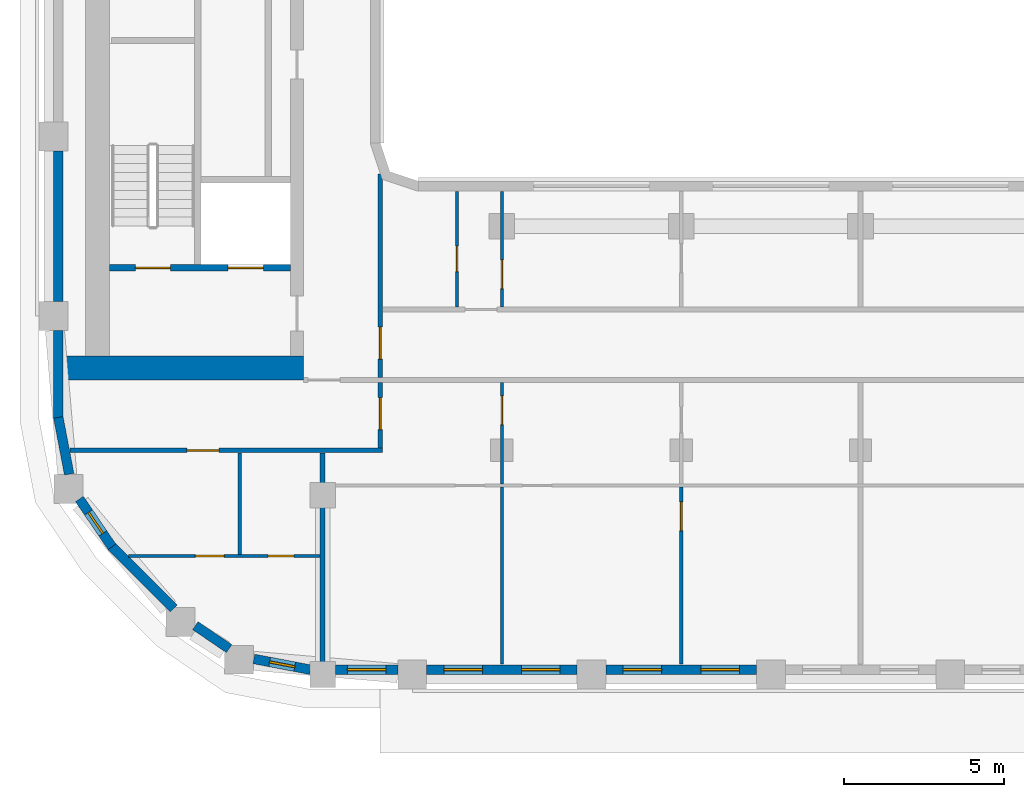
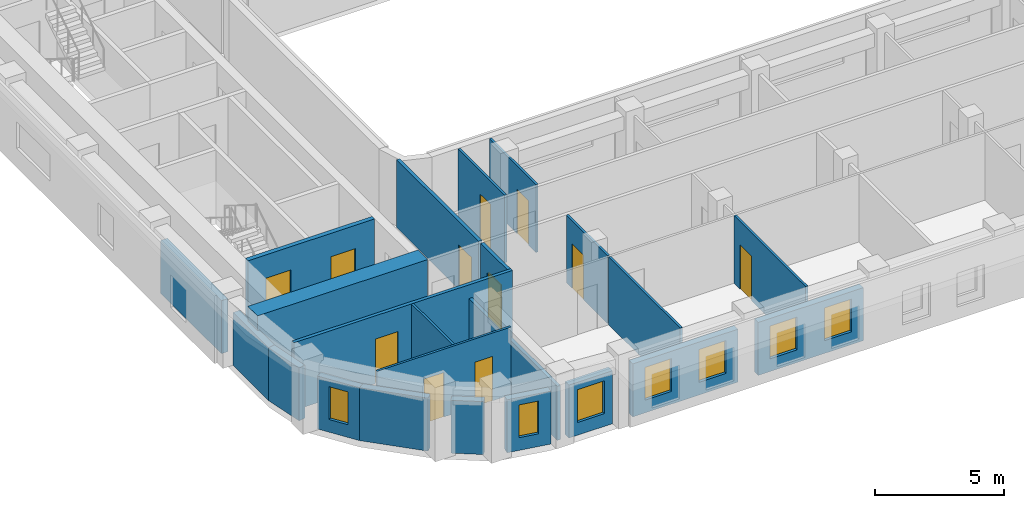
# One storey, part 2 of 20: 23 walls, 11 doors, 7 windows, 18 openings.
"""IFC4 building model written with IfcOpenShell, lengths in metres."""

from ifc_helpers import new_model, si_unit, direction, frame, frame_2d, origin, place, context, subcontext, project, spatial, rectangle, extrude, material, layer, layer_set, type_object, element, fill, save


model = new_model("IFC4")

# Units and contexts
model_context = context("Model", 3, precision=1e-05, world=origin(), true_north=direction((0.0, 1.0)))
body_context = subcontext(model_context, "Body", "Model", "MODEL_VIEW")
ifc_project = project(units=[si_unit("LENGTHUNIT", "METRE"), si_unit("AREAUNIT", "SQUARE_METRE"), si_unit("VOLUMEUNIT", "CUBIC_METRE"), si_unit("PLANEANGLEUNIT", "RADIAN"), si_unit("MASSUNIT", "GRAM", prefix="KILO")], contexts=[model_context])

# Site, building, storey
site_placement = place(None, origin())
site = spatial("IfcSite", under=ifc_project, at=site_placement, CompositionType="ELEMENT")
building_placement = place(site_placement, origin())
building = spatial("IfcBuilding", under=site, at=building_placement, Name="Kiln Ring Residences", CompositionType="ELEMENT")
storey_placement = place(building_placement, frame((0.0, 0.0, 206.39990234375)))
storey = spatial("IfcBuildingStorey", under=building, at=storey_placement, Name="L53", CompositionType="ELEMENT", Elevation=206.39990234375)

# Wall, openings, doors
ifc_material_1 = material(Name="Concrete C40/50", Category="concrete")
ifc_layer_1 = layer(ifc_material_1, 0.199951171875)
ifc_layer_set_1 = layer_set([ifc_layer_1], Name="CORE-WALL-RC200")
wall_type_1 = type_object("IfcWallType", Name="CORE-WALL-RC200", PredefinedType="SHEAR", material=ifc_layer_set_1)
wall_1_placement = place(storey_placement, frame((-17.800048828125, -9.699951171875, 0.0), z_axis=(0.0, 0.0, 1.0), x_axis=(-1.0, 0.0, 0.0)))
wall_1 = element("IfcWall", 1, at=wall_1_placement, inside=storey, type_object=wall_type_1, Name="Core wall west L53 8", PredefinedType="SHEAR", context=body_context, shape_type="SweptSolid", body=[
    extrude(rectangle(XDim=5.64990234375, YDim=0.199951171875, at=frame_2d((2.824951171875, 0.0))), origin(), (0.0, 0.0, 1.0), 3.2001953125),
])
opening_1_placement = place(wall_1_placement, frame((0.85009765625, 0.0, 0.0)))
opening_1 = element("IfcOpeningElement", 2, at=opening_1_placement, cuts=wall_1, Name="Opening L53-CW01", PredefinedType="OPENING", context=body_context, shape_type="SweptSolid", body=[
    extrude(rectangle(XDim=1.10009765625, YDim=2.10009765625, at=frame_2d((0.550048828125, 1.050048828125))), frame((0.0, 0.10986328125, 0.0), z_axis=(0.0, -1.0, 0.0), x_axis=(1.0, 0.0, 0.0)), (0.0, 0.0, 1.0), 0.219970703125),
])
opening_2_placement = place(wall_1_placement, frame((3.75, 0.0, 0.0)))
opening_2 = element("IfcOpeningElement", 3, at=opening_2_placement, cuts=wall_1, Name="Opening L53-CW10", PredefinedType="OPENING", context=body_context, shape_type="SweptSolid", body=[
    extrude(rectangle(XDim=1.10009765625, YDim=2.10009765625, at=frame_2d((0.550048828125, 1.050048828125))), frame((0.0, 0.10986328125, 0.0), z_axis=(0.0, -1.0, 0.0), x_axis=(1.0, 0.0, 0.0)), (0.0, 0.0, 1.0), 0.219970703125),
])
ifc_material_2 = material(Name="Steel door leaf", Category="steel")
door_type_1 = type_object("IfcDoorType", Name="CORE-DOOR-LD", OperationType="DOUBLE_DOOR_SLIDING", PredefinedType="DOOR", material=ifc_material_2)
door_1_placement = place(opening_1_placement, origin())
door_1 = element("IfcDoor", 4, at=door_1_placement, inside=storey, type_object=door_type_1, Name="LD W-SV L53-CW01", OperationType="DOUBLE_DOOR_SLIDING", OverallHeight=2.10009765625, OverallWidth=1.10009765625, PredefinedType="DOOR", context=body_context, shape_type="SweptSolid", body=[
    extrude(rectangle(XDim=1.10009765625, YDim=2.10009765625, at=frame_2d((0.550048828125, 1.050048828125))), frame((0.0, 0.02490234375, 0.0), z_axis=(0.0, -1.0, 0.0), x_axis=(1.0, 0.0, 0.0)), (0.0, 0.0, 1.0), 0.050048828125),
])
fill(opening_1, door_1)
ifc_material_3 = material(Name="Steel door leaf", Category="steel")
door_type_2 = type_object("IfcDoorType", Name="CORE-DOOR-STAIR", OperationType="SINGLE_SWING_LEFT", PredefinedType="DOOR", material=ifc_material_3)
door_2_placement = place(opening_2_placement, origin())
door_2 = element("IfcDoor", 5, at=door_2_placement, inside=storey, type_object=door_type_2, Name="Stair W-STS L53-CW10", OperationType="SINGLE_SWING_LEFT", OverallHeight=2.10009765625, OverallWidth=1.10009765625, PredefinedType="DOOR", context=body_context, shape_type="SweptSolid", body=[
    extrude(rectangle(XDim=1.10009765625, YDim=2.10009765625, at=frame_2d((0.550048828125, 1.050048828125))), frame((0.0, 0.02490234375, 0.0), z_axis=(0.0, -1.0, 0.0), x_axis=(1.0, 0.0, 0.0)), (0.0, 0.0, 1.0), 0.050048828125),
])
fill(opening_2, door_2)

# Walls
ifc_material_4 = material(Name="Concrete C60/75", Category="concrete")
ifc_layer_2 = layer(ifc_material_4, 0.75)
ifc_layer_set_2 = layer_set([ifc_layer_2], Name="CORE-WALL-RC750")
wall_type_2 = type_object("IfcWallType", Name="CORE-WALL-RC750", PredefinedType="SHEAR", material=ifc_layer_set_2)
wall_2_placement = place(storey_placement, frame((-17.39990234375, -12.824951171875, 0.0), z_axis=(0.0, 0.0, 1.0), x_axis=(-1.0, 0.0, 0.0)))
element("IfcWall", 6, at=wall_2_placement, inside=storey, type_object=wall_type_2, Name="Core wall west L53 5", PredefinedType="SHEAR", context=body_context, shape_type="SweptSolid", body=[
    extrude(rectangle(XDim=7.60009765625, YDim=0.75, at=frame_2d((3.800048828125, 0.0))), origin(), (0.0, 0.0, 1.0), 3.2001953125),
])
ifc_material_5 = material(Name="Brick masonry, dark clay brick", Category="masonry")
ifc_layer_3 = layer(ifc_material_5, 0.300048828125)
ifc_layer_set_3 = layer_set([ifc_layer_3], Name="EW-300 BRICK WALL")
wall_type_3 = type_object("IfcWallType", Name="EW-300 BRICK WALL", PredefinedType="SOLIDWALL", material=ifc_layer_set_3)
wall_3_placement = place(storey_placement, frame((-23.39697265625, -18.390869140625, 0.0), z_axis=(0.0, 0.0, 1.0), x_axis=(0.707106781187, -0.707106781187, 0.0)))
element("IfcWall", 7, at=wall_3_placement, inside=storey, type_object=wall_type_3, Name="Facade wall L53 1", PredefinedType="SOLIDWALL", context=body_context, shape_type="SweptSolid", body=[
    extrude(rectangle(XDim=2.75, YDim=0.300048828125, at=frame_2d((1.375, 0.0))), origin(), (0.0, 0.0, 1.0), 2.5),
])
wall_4_placement = place(storey_placement, frame((-20.775146484375, -20.876220703125, 0.0), z_axis=(0.0, 0.0, 1.0), x_axis=(0.827075824828, -0.562090366388, 0.0)))
element("IfcWall", 8, at=wall_4_placement, inside=storey, type_object=wall_type_3, Name="Facade wall L53 2", PredefinedType="SOLIDWALL", context=body_context, shape_type="SweptSolid", body=[
    extrude(rectangle(XDim=1.27685546875, YDim=0.300048828125, at=frame_2d((0.638427734375, 0.0))), origin(), (0.0, 0.0, 1.0), 2.5),
])

# Wall, opening, window
wall_5_placement = place(storey_placement, frame((-18.946044921875, -21.914306640625, 0.0), z_axis=(0.0, 0.0, 1.0), x_axis=(0.98230529033, -0.187286722942, 0.0)))
wall_5 = element("IfcWall", 9, at=wall_5_placement, inside=storey, type_object=wall_type_3, Name="Facade wall L53 3", PredefinedType="SOLIDWALL", context=body_context, shape_type="SweptSolid", body=[
    extrude(rectangle(XDim=1.798828125, YDim=0.300048828125, at=frame_2d((0.8994140625, 0.0))), origin(), (0.0, 0.0, 1.0), 2.5),
])
opening_3_placement = place(wall_5_placement, frame((0.49951171875, 0.0, 0.60009765625)))
opening_3 = element("IfcOpeningElement", 10, at=opening_3_placement, cuts=wall_5, Name="Opening W5", PredefinedType="OPENING", context=body_context, shape_type="SweptSolid", body=[
    extrude(rectangle(XDim=0.800048828125, YDim=1.550048828125, at=frame_2d((0.39990234375, 0.77490234375))), frame((0.0, 0.159912109375, 0.0), z_axis=(0.0, -1.0, 0.0), x_axis=(1.0, 0.0, 0.0)), (0.0, 0.0, 1.0), 0.320068359375),
])
ifc_material_6 = material(Name="Aluminium frame with double glazing", Category="aluminium")
window_type_1 = type_object("IfcWindowType", Name="WINDOW 800 x 1550", PartitioningType="SINGLE_PANEL", PredefinedType="WINDOW", material=ifc_material_6)
window_1_placement = place(opening_3_placement, origin())
window_1 = element("IfcWindow", 11, at=window_1_placement, inside=storey, type_object=window_type_1, Name="Window L53 1", OverallHeight=1.550048828125, OverallWidth=0.800048828125, PartitioningType="SINGLE_PANEL", PredefinedType="WINDOW", context=body_context, shape_type="SweptSolid", body=[
    extrude(rectangle(XDim=0.800048828125, YDim=1.550048828125, at=frame_2d((0.39990234375, 0.77490234375))), frame((0.0, 0.030029296875, 0.0), z_axis=(0.0, -1.0, 0.0), x_axis=(1.0, 0.0, 0.0)), (0.0, 0.0, 1.0), 0.06005859375),
])
fill(opening_3, window_1)

wall_6_placement = place(storey_placement, frame((-16.39990234375, -22.25, 0.0), z_axis=(0.0, 0.0, 1.0), x_axis=(1.0, 0.0, 0.0)))
wall_6 = element("IfcWall", 12, at=wall_6_placement, inside=storey, type_object=wall_type_3, Name="Facade wall L53 4", PredefinedType="SOLIDWALL", context=body_context, shape_type="SweptSolid", body=[
    extrude(rectangle(XDim=1.949951171875, YDim=0.300048828125, at=frame_2d((0.97509765625, 0.0))), origin(), (0.0, 0.0, 1.0), 2.5),
])
opening_4_placement = place(wall_6_placement, frame((0.375, 0.0, 0.60009765625)))
opening_4 = element("IfcOpeningElement", 13, at=opening_4_placement, cuts=wall_6, Name="Opening W1", PredefinedType="OPENING", context=body_context, shape_type="SweptSolid", body=[
    extrude(rectangle(XDim=1.199951171875, YDim=1.550048828125, at=frame_2d((0.60009765625, 0.77490234375))), frame((0.0, 0.159912109375, 0.0), z_axis=(0.0, -1.0, 0.0), x_axis=(1.0, 0.0, 0.0)), (0.0, 0.0, 1.0), 0.320068359375),
])
ifc_material_7 = material(Name="Aluminium frame with double glazing", Category="aluminium")
window_type_2 = type_object("IfcWindowType", Name="WINDOW 1200 x 1550", PartitioningType="SINGLE_PANEL", PredefinedType="WINDOW", material=ifc_material_7)
window_2_placement = place(opening_4_placement, origin())
window_2 = element("IfcWindow", 14, at=window_2_placement, inside=storey, type_object=window_type_2, Name="Window L53 2", OverallHeight=1.550048828125, OverallWidth=1.199951171875, PartitioningType="SINGLE_PANEL", PredefinedType="WINDOW", context=body_context, shape_type="SweptSolid", body=[
    extrude(rectangle(XDim=1.199951171875, YDim=1.550048828125, at=frame_2d((0.60009765625, 0.77490234375))), frame((0.0, 0.030029296875, 0.0), z_axis=(0.0, -1.0, 0.0), x_axis=(1.0, 0.0, 0.0)), (0.0, 0.0, 1.0), 0.06005859375),
])
fill(opening_4, window_2)

# Wall, openings, windows
wall_7_placement = place(storey_placement, frame((-13.550048828125, -22.25, 0.0), z_axis=(0.0, 0.0, 1.0), x_axis=(1.0, 0.0, 0.0)))
wall_7 = element("IfcWall", 15, at=wall_7_placement, inside=storey, type_object=wall_type_3, Name="Facade wall L53 5", PredefinedType="SOLIDWALL", context=body_context, shape_type="SweptSolid", body=[
    extrude(rectangle(XDim=4.699951171875, YDim=0.300048828125, at=frame_2d((2.35009765625, 0.0))), origin(), (0.0, 0.0, 1.0), 2.5),
])
opening_5_placement = place(wall_7_placement, frame((0.53759765625, 0.0, 0.60009765625)))
opening_5 = element("IfcOpeningElement", 16, at=opening_5_placement, cuts=wall_7, Name="Opening W1", PredefinedType="OPENING", context=body_context, shape_type="SweptSolid", body=[
    extrude(rectangle(XDim=1.199951171875, YDim=1.550048828125, at=frame_2d((0.60009765625, 0.77490234375))), frame((0.0, 0.159912109375, 0.0), z_axis=(0.0, -1.0, 0.0), x_axis=(1.0, 0.0, 0.0)), (0.0, 0.0, 1.0), 0.320068359375),
])
opening_6_placement = place(wall_7_placement, frame((2.96240234375, 0.0, 0.60009765625)))
opening_6 = element("IfcOpeningElement", 17, at=opening_6_placement, cuts=wall_7, Name="Opening W1", PredefinedType="OPENING", context=body_context, shape_type="SweptSolid", body=[
    extrude(rectangle(XDim=1.199951171875, YDim=1.550048828125, at=frame_2d((0.60009765625, 0.77490234375))), frame((0.0, 0.159912109375, 0.0), z_axis=(0.0, -1.0, 0.0), x_axis=(1.0, 0.0, 0.0)), (0.0, 0.0, 1.0), 0.320068359375),
])
window_3_placement = place(opening_5_placement, origin())
window_3 = element("IfcWindow", 18, at=window_3_placement, inside=storey, type_object=window_type_2, Name="Window L53 3", OverallHeight=1.550048828125, OverallWidth=1.199951171875, PartitioningType="SINGLE_PANEL", PredefinedType="WINDOW", context=body_context, shape_type="SweptSolid", body=[
    extrude(rectangle(XDim=1.199951171875, YDim=1.550048828125, at=frame_2d((0.60009765625, 0.77490234375))), frame((0.0, 0.030029296875, 0.0), z_axis=(0.0, -1.0, 0.0), x_axis=(1.0, 0.0, 0.0)), (0.0, 0.0, 1.0), 0.06005859375),
])
fill(opening_5, window_3)
window_4_placement = place(opening_6_placement, origin())
window_4 = element("IfcWindow", 19, at=window_4_placement, inside=storey, type_object=window_type_2, Name="Window L53 4", OverallHeight=1.550048828125, OverallWidth=1.199951171875, PartitioningType="SINGLE_PANEL", PredefinedType="WINDOW", context=body_context, shape_type="SweptSolid", body=[
    extrude(rectangle(XDim=1.199951171875, YDim=1.550048828125, at=frame_2d((0.60009765625, 0.77490234375))), frame((0.0, 0.030029296875, 0.0), z_axis=(0.0, -1.0, 0.0), x_axis=(1.0, 0.0, 0.0)), (0.0, 0.0, 1.0), 0.06005859375),
])
fill(opening_6, window_4)

wall_8_placement = place(storey_placement, frame((-7.949951171875, -22.25, 0.0), z_axis=(0.0, 0.0, 1.0), x_axis=(1.0, 0.0, 0.0)))
wall_8 = element("IfcWall", 20, at=wall_8_placement, inside=storey, type_object=wall_type_3, Name="Facade wall L53 6", PredefinedType="SOLIDWALL", context=body_context, shape_type="SweptSolid", body=[
    extrude(rectangle(XDim=4.699951171875, YDim=0.300048828125, at=frame_2d((2.35009765625, 0.0))), origin(), (0.0, 0.0, 1.0), 2.5),
])
opening_7_placement = place(wall_8_placement, frame((0.53759765625, 0.0, 0.60009765625)))
opening_7 = element("IfcOpeningElement", 21, at=opening_7_placement, cuts=wall_8, Name="Opening W1", PredefinedType="OPENING", context=body_context, shape_type="SweptSolid", body=[
    extrude(rectangle(XDim=1.199951171875, YDim=1.550048828125, at=frame_2d((0.60009765625, 0.77490234375))), frame((0.0, 0.159912109375, 0.0), z_axis=(0.0, -1.0, 0.0), x_axis=(1.0, 0.0, 0.0)), (0.0, 0.0, 1.0), 0.320068359375),
])
opening_8_placement = place(wall_8_placement, frame((2.96240234375, 0.0, 0.60009765625)))
opening_8 = element("IfcOpeningElement", 22, at=opening_8_placement, cuts=wall_8, Name="Opening W1", PredefinedType="OPENING", context=body_context, shape_type="SweptSolid", body=[
    extrude(rectangle(XDim=1.199951171875, YDim=1.550048828125, at=frame_2d((0.60009765625, 0.77490234375))), frame((0.0, 0.159912109375, 0.0), z_axis=(0.0, -1.0, 0.0), x_axis=(1.0, 0.0, 0.0)), (0.0, 0.0, 1.0), 0.320068359375),
])
window_5_placement = place(opening_7_placement, origin())
window_5 = element("IfcWindow", 23, at=window_5_placement, inside=storey, type_object=window_type_2, Name="Window L53 5", OverallHeight=1.550048828125, OverallWidth=1.199951171875, PartitioningType="SINGLE_PANEL", PredefinedType="WINDOW", context=body_context, shape_type="SweptSolid", body=[
    extrude(rectangle(XDim=1.199951171875, YDim=1.550048828125, at=frame_2d((0.60009765625, 0.77490234375))), frame((0.0, 0.030029296875, 0.0), z_axis=(0.0, -1.0, 0.0), x_axis=(1.0, 0.0, 0.0)), (0.0, 0.0, 1.0), 0.06005859375),
])
fill(opening_7, window_5)
window_6_placement = place(opening_8_placement, origin())
window_6 = element("IfcWindow", 24, at=window_6_placement, inside=storey, type_object=window_type_2, Name="Window L53 6", OverallHeight=1.550048828125, OverallWidth=1.199951171875, PartitioningType="SINGLE_PANEL", PredefinedType="WINDOW", context=body_context, shape_type="SweptSolid", body=[
    extrude(rectangle(XDim=1.199951171875, YDim=1.550048828125, at=frame_2d((0.60009765625, 0.77490234375))), frame((0.0, 0.030029296875, 0.0), z_axis=(0.0, -1.0, 0.0), x_axis=(1.0, 0.0, 0.0)), (0.0, 0.0, 1.0), 0.06005859375),
])
fill(opening_8, window_6)

# Walls
wall_9_placement = place(storey_placement, frame((-25.050048828125, -6.050048828125, 0.0), z_axis=(0.0, 0.0, 1.0), x_axis=(0.0, -1.0, 0.0)))
element("IfcWall", 25, at=wall_9_placement, inside=storey, type_object=wall_type_3, Name="Facade wall L53 43", PredefinedType="SOLIDWALL", context=body_context, shape_type="SweptSolid", body=[
    extrude(rectangle(XDim=4.699951171875, YDim=0.300048828125, at=frame_2d((2.35009765625, 0.0))), origin(), (0.0, 0.0, 1.0), 2.5),
])
wall_10_placement = place(storey_placement, frame((-25.050048828125, -11.64990234375, 0.0), z_axis=(0.0, 0.0, 1.0), x_axis=(0.0, -1.0, 0.0)))
element("IfcWall", 26, at=wall_10_placement, inside=storey, type_object=wall_type_3, Name="Facade wall L53 44", PredefinedType="SOLIDWALL", context=body_context, shape_type="SweptSolid", body=[
    extrude(rectangle(XDim=2.75, YDim=0.300048828125, at=frame_2d((1.375, 0.0))), origin(), (0.0, 0.0, 1.0), 2.5),
])
wall_11_placement = place(storey_placement, frame((-25.052734375, -14.371826171875, 0.0), z_axis=(0.0, 0.0, 1.0), x_axis=(0.187348135549, -0.982293579388, 0.0)))
element("IfcWall", 27, at=wall_11_placement, inside=storey, type_object=wall_type_3, Name="Facade wall L53 45", PredefinedType="SOLIDWALL", context=body_context, shape_type="SweptSolid", body=[
    extrude(rectangle(XDim=1.80615234375, YDim=0.300048828125, at=frame_2d((0.903076171875, 0.0))), origin(), (0.0, 0.0, 1.0), 2.5),
])

# Wall, opening, window
wall_12_placement = place(storey_placement, frame((-24.39404296875, -16.9189453125, 0.0), z_axis=(0.0, 0.0, 1.0), x_axis=(0.562040093569, -0.827109988588, 0.0)))
wall_12 = element("IfcWall", 28, at=wall_12_placement, inside=storey, type_object=wall_type_3, Name="Facade wall L53 46", PredefinedType="SOLIDWALL", context=body_context, shape_type="SweptSolid", body=[
    extrude(rectangle(XDim=1.80615234375, YDim=0.300048828125, at=frame_2d((0.903076171875, 0.0))), origin(), (0.0, 0.0, 1.0), 2.5),
])
opening_9_placement = place(wall_12_placement, frame((0.5029296875, 0.0, 0.60009765625)))
opening_9 = element("IfcOpeningElement", 29, at=opening_9_placement, cuts=wall_12, Name="Opening W5", PredefinedType="OPENING", context=body_context, shape_type="SweptSolid", body=[
    extrude(rectangle(XDim=0.800048828125, YDim=1.550048828125, at=frame_2d((0.39990234375, 0.77490234375))), frame((0.0, 0.159912109375, 0.0), z_axis=(0.0, -1.0, 0.0), x_axis=(1.0, 0.0, 0.0)), (0.0, 0.0, 1.0), 0.320068359375),
])
window_7_placement = place(opening_9_placement, origin())
window_7 = element("IfcWindow", 30, at=window_7_placement, inside=storey, type_object=window_type_1, Name="Window L53 34", OverallHeight=1.550048828125, OverallWidth=0.800048828125, PartitioningType="SINGLE_PANEL", PredefinedType="WINDOW", context=body_context, shape_type="SweptSolid", body=[
    extrude(rectangle(XDim=0.800048828125, YDim=1.550048828125, at=frame_2d((0.39990234375, 0.77490234375))), frame((0.0, 0.030029296875, 0.0), z_axis=(0.0, -1.0, 0.0), x_axis=(1.0, 0.0, 0.0)), (0.0, 0.0, 1.0), 0.06005859375),
])
fill(opening_9, window_7)

# Wall, openings, doors
ifc_material_8 = material(Name="Gypsum board on steel studs", Category="steel")
ifc_layer_4 = layer(ifc_material_8, 0.10009765625)
ifc_layer_set_4 = layer_set([ifc_layer_4], Name="PARTITION-100")
wall_type_4 = type_object("IfcWallType", Name="PARTITION-100", PredefinedType="PARTITIONING", material=ifc_layer_set_4)
wall_13_placement = place(storey_placement, frame((-22.855712890625, -18.699951171875, 0.0), z_axis=(0.0, 0.0, 1.0), x_axis=(1.0, 0.0, 0.0)))
wall_13 = element("IfcWall", 31, at=wall_13_placement, inside=storey, type_object=wall_type_4, Name="Partition 000", PredefinedType="PARTITIONING", context=body_context, shape_type="SweptSolid", body=[
    extrude(rectangle(XDim=5.980712890625, YDim=0.10009765625, at=frame_2d((2.990234375, 0.0))), origin(), (0.0, 0.0, 1.0), 3.2001953125),
])
opening_10_placement = place(wall_13_placement, frame((4.355712890625, 0.0, 0.0)))
opening_10 = element("IfcOpeningElement", 32, at=opening_10_placement, cuts=wall_13, Name="Opening L53-D061", PredefinedType="OPENING", context=body_context, shape_type="SweptSolid", body=[
    extrude(rectangle(XDim=0.800048828125, YDim=2.10009765625, at=frame_2d((0.39990234375, 1.050048828125))), frame((0.0, 0.06005859375, 0.0), z_axis=(0.0, -1.0, 0.0), x_axis=(1.0, 0.0, 0.0)), (0.0, 0.0, 1.0), 0.1201171875),
])
opening_11_placement = place(wall_13_placement, frame((2.083740234375, 0.0, 0.0)))
opening_11 = element("IfcOpeningElement", 33, at=opening_11_placement, cuts=wall_13, Name="Opening L53-D062", PredefinedType="OPENING", context=body_context, shape_type="SweptSolid", body=[
    extrude(rectangle(XDim=0.89990234375, YDim=2.10009765625, at=frame_2d((0.449951171875, 1.050048828125))), frame((0.0, 0.06005859375, 0.0), z_axis=(0.0, -1.0, 0.0), x_axis=(1.0, 0.0, 0.0)), (0.0, 0.0, 1.0), 0.1201171875),
])
ifc_material_9 = material(Name="Timber door leaf", Category="wood")
door_type_3 = type_object("IfcDoorType", Name="FLAT-DOOR-800-PL", OperationType="SINGLE_SWING_LEFT", PredefinedType="DOOR", material=ifc_material_9)
door_3_placement = place(opening_10_placement, origin())
door_3 = element("IfcDoor", 34, at=door_3_placement, inside=storey, type_object=door_type_3, Name="Door L53-D061", OperationType="SINGLE_SWING_LEFT", OverallHeight=2.10009765625, OverallWidth=0.800048828125, PredefinedType="DOOR", context=body_context, shape_type="SweptSolid", body=[
    extrude(rectangle(XDim=0.800048828125, YDim=2.10009765625, at=frame_2d((0.39990234375, 1.050048828125))), frame((0.0, 0.02490234375, 0.0), z_axis=(0.0, -1.0, 0.0), x_axis=(1.0, 0.0, 0.0)), (0.0, 0.0, 1.0), 0.050048828125),
])
fill(opening_10, door_3)
ifc_material_10 = material(Name="Timber door leaf", Category="wood")
door_type_4 = type_object("IfcDoorType", Name="FLAT-DOOR-900-PL", OperationType="SINGLE_SWING_LEFT", PredefinedType="DOOR", material=ifc_material_10)
door_4_placement = place(opening_11_placement, origin())
door_4 = element("IfcDoor", 35, at=door_4_placement, inside=storey, type_object=door_type_4, Name="Door L53-D062", OperationType="SINGLE_SWING_RIGHT", OverallHeight=2.10009765625, OverallWidth=0.89990234375, PredefinedType="DOOR", context=body_context, shape_type="SweptSolid", body=[
    extrude(rectangle(XDim=0.89990234375, YDim=2.10009765625, at=frame_2d((0.449951171875, 1.050048828125))), frame((0.0, 0.02490234375, 0.0), z_axis=(0.0, -1.0, 0.0), x_axis=(1.0, 0.0, 0.0)), (0.0, 0.0, 1.0), 0.050048828125),
])
fill(opening_11, door_4)

# Wall
wall_14_placement = place(storey_placement, frame((-19.389892578125, -18.64990234375, 0.0), z_axis=(0.0, 0.0, 1.0), x_axis=(0.0, 1.0, 0.0)))
element("IfcWall", 36, at=wall_14_placement, inside=storey, type_object=wall_type_4, Name="Partition 014", PredefinedType="PARTITIONING", context=body_context, shape_type="SweptSolid", body=[
    extrude(rectangle(XDim=3.1748046875, YDim=0.10009765625, at=frame_2d((1.58740234375, 0.0))), origin(), (0.0, 0.0, 1.0), 3.2001953125),
])

# Wall, opening, door
wall_15_placement = place(storey_placement, frame((-12.60009765625, -10.925048828125, 0.0), z_axis=(0.0, 0.0, 1.0), x_axis=(0.0, 1.0, 0.0)))
wall_15 = element("IfcWall", 37, at=wall_15_placement, inside=storey, type_object=wall_type_4, Name="Partition 023", PredefinedType="PARTITIONING", context=body_context, shape_type="SweptSolid", body=[
    extrude(rectangle(XDim=3.60498046875, YDim=0.10009765625, at=frame_2d((1.802490234375, 0.0))), origin(), (0.0, 0.0, 1.0), 3.2001953125),
])
opening_12_placement = place(wall_15_placement, frame((1.10498046875, 0.0, 0.0)))
opening_12 = element("IfcOpeningElement", 38, at=opening_12_placement, cuts=wall_15, Name="Opening L53-D038", PredefinedType="OPENING", context=body_context, shape_type="SweptSolid", body=[
    extrude(rectangle(XDim=0.800048828125, YDim=2.10009765625, at=frame_2d((0.39990234375, 1.050048828125))), frame((0.0, 0.06005859375, 0.0), z_axis=(0.0, -1.0, 0.0), x_axis=(1.0, 0.0, 0.0)), (0.0, 0.0, 1.0), 0.1201171875),
])
door_5_placement = place(opening_12_placement, origin())
door_5 = element("IfcDoor", 39, at=door_5_placement, inside=storey, type_object=door_type_3, Name="Door L53-D038", OperationType="SINGLE_SWING_RIGHT", OverallHeight=2.10009765625, OverallWidth=0.800048828125, PredefinedType="DOOR", context=body_context, shape_type="SweptSolid", body=[
    extrude(rectangle(XDim=0.800048828125, YDim=2.10009765625, at=frame_2d((0.39990234375, 1.050048828125))), frame((0.0, 0.02490234375, 0.0), z_axis=(0.0, -1.0, 0.0), x_axis=(1.0, 0.0, 0.0)), (0.0, 0.0, 1.0), 0.050048828125),
])
fill(opening_12, door_5)

# Wall
wall_16_placement = place(storey_placement, frame((-11.199951171875, -22.080078125, 0.0), z_axis=(0.0, 0.0, 1.0), x_axis=(0.0, 1.0, 0.0)))
element("IfcWall", 40, at=wall_16_placement, inside=storey, type_object=wall_type_4, Name="Partition 025", PredefinedType="PARTITIONING", context=body_context, shape_type="SweptSolid", body=[
    extrude(rectangle(XDim=5.530029296875, YDim=0.10009765625, at=frame_2d((2.76513671875, 0.0))), origin(), (0.0, 0.0, 1.0), 3.2001953125),
])

# Wall, opening, door
wall_17_placement = place(storey_placement, frame((-11.199951171875, -16.449951171875, 0.0), z_axis=(0.0, 0.0, 1.0), x_axis=(0.0, 1.0, 0.0)))
wall_17 = element("IfcWall", 41, at=wall_17_placement, inside=storey, type_object=wall_type_4, Name="Partition 026", PredefinedType="PARTITIONING", context=body_context, shape_type="SweptSolid", body=[
    extrude(rectangle(XDim=3.175048828125, YDim=0.10009765625, at=frame_2d((1.58740234375, 0.0))), origin(), (0.0, 0.0, 1.0), 3.2001953125),
])
opening_13_placement = place(wall_17_placement, frame((1.85009765625, 0.0, 0.0)))
opening_13 = element("IfcOpeningElement", 42, at=opening_13_placement, cuts=wall_17, Name="Opening L53-D046", PredefinedType="OPENING", context=body_context, shape_type="SweptSolid", body=[
    extrude(rectangle(XDim=0.89990234375, YDim=2.10009765625, at=frame_2d((0.449951171875, 1.050048828125))), frame((0.0, 0.06005859375, 0.0), z_axis=(0.0, -1.0, 0.0), x_axis=(1.0, 0.0, 0.0)), (0.0, 0.0, 1.0), 0.1201171875),
])
door_6_placement = place(opening_13_placement, origin())
door_6 = element("IfcDoor", 43, at=door_6_placement, inside=storey, type_object=door_type_4, Name="Door L53-D046", OperationType="SINGLE_SWING_RIGHT", OverallHeight=2.10009765625, OverallWidth=0.89990234375, PredefinedType="DOOR", context=body_context, shape_type="SweptSolid", body=[
    extrude(rectangle(XDim=0.89990234375, YDim=2.10009765625, at=frame_2d((0.449951171875, 1.050048828125))), frame((0.0, 0.02490234375, 0.0), z_axis=(0.0, -1.0, 0.0), x_axis=(1.0, 0.0, 0.0)), (0.0, 0.0, 1.0), 0.050048828125),
])
fill(opening_13, door_6)

wall_18_placement = place(storey_placement, frame((-11.199951171875, -10.925048828125, 0.0), z_axis=(0.0, 0.0, 1.0), x_axis=(0.0, 1.0, 0.0)))
wall_18 = element("IfcWall", 44, at=wall_18_placement, inside=storey, type_object=wall_type_4, Name="Partition 027", PredefinedType="PARTITIONING", context=body_context, shape_type="SweptSolid", body=[
    extrude(rectangle(XDim=3.60498046875, YDim=0.10009765625, at=frame_2d((1.802490234375, 0.0))), origin(), (0.0, 0.0, 1.0), 3.2001953125),
])
opening_14_placement = place(wall_18_placement, frame((0.575927734375, 0.0, 0.0)))
opening_14 = element("IfcOpeningElement", 45, at=opening_14_placement, cuts=wall_18, Name="Opening L53-D039", PredefinedType="OPENING", context=body_context, shape_type="SweptSolid", body=[
    extrude(rectangle(XDim=0.89990234375, YDim=2.10009765625, at=frame_2d((0.449951171875, 1.050048828125))), frame((0.0, 0.06005859375, 0.0), z_axis=(0.0, -1.0, 0.0), x_axis=(1.0, 0.0, 0.0)), (0.0, 0.0, 1.0), 0.1201171875),
])
door_7_placement = place(opening_14_placement, origin())
door_7 = element("IfcDoor", 46, at=door_7_placement, inside=storey, type_object=door_type_4, Name="Door L53-D039", OperationType="SINGLE_SWING_LEFT", OverallHeight=2.10009765625, OverallWidth=0.89990234375, PredefinedType="DOOR", context=body_context, shape_type="SweptSolid", body=[
    extrude(rectangle(XDim=0.89990234375, YDim=2.10009765625, at=frame_2d((0.449951171875, 1.050048828125))), frame((0.0, 0.02490234375, 0.0), z_axis=(0.0, -1.0, 0.0), x_axis=(1.0, 0.0, 0.0)), (0.0, 0.0, 1.0), 0.050048828125),
])
fill(opening_14, door_7)

wall_19_placement = place(storey_placement, frame((-5.60009765625, -22.080078125, 0.0), z_axis=(0.0, 0.0, 1.0), x_axis=(0.0, 1.0, 0.0)))
wall_19 = element("IfcWall", 47, at=wall_19_placement, inside=storey, type_object=wall_type_4, Name="Partition 031", PredefinedType="PARTITIONING", context=body_context, shape_type="SweptSolid", body=[
    extrude(rectangle(XDim=5.530029296875, YDim=0.10009765625, at=frame_2d((2.76513671875, 0.0))), origin(), (0.0, 0.0, 1.0), 3.2001953125),
])
opening_15_placement = place(wall_19_placement, frame((4.169921875, 0.0, 0.0)))
opening_15 = element("IfcOpeningElement", 48, at=opening_15_placement, cuts=wall_19, Name="Opening L53-D050", PredefinedType="OPENING", context=body_context, shape_type="SweptSolid", body=[
    extrude(rectangle(XDim=0.89990234375, YDim=2.10009765625, at=frame_2d((0.449951171875, 1.050048828125))), frame((0.0, 0.06005859375, 0.0), z_axis=(0.0, -1.0, 0.0), x_axis=(1.0, 0.0, 0.0)), (0.0, 0.0, 1.0), 0.1201171875),
])
door_8_placement = place(opening_15_placement, origin())
door_8 = element("IfcDoor", 49, at=door_8_placement, inside=storey, type_object=door_type_4, Name="Door L53-D050", OperationType="SINGLE_SWING_RIGHT", OverallHeight=2.10009765625, OverallWidth=0.89990234375, PredefinedType="DOOR", context=body_context, shape_type="SweptSolid", body=[
    extrude(rectangle(XDim=0.89990234375, YDim=2.10009765625, at=frame_2d((0.449951171875, 1.050048828125))), frame((0.0, 0.02490234375, 0.0), z_axis=(0.0, -1.0, 0.0), x_axis=(1.0, 0.0, 0.0)), (0.0, 0.0, 1.0), 0.050048828125),
])
fill(opening_15, door_8)

ifc_material_11 = material(Name="Brick masonry partition", Category="masonry")
ifc_layer_5 = layer(ifc_material_11, 0.14990234375)
ifc_layer_set_5 = layer_set([ifc_layer_5], Name="PARTITION-150-ei60")
wall_type_5 = type_object("IfcWallType", Name="PARTITION-150-ei60", PredefinedType="PARTITIONING", material=ifc_layer_set_5)
wall_20_placement = place(storey_placement, frame((-24.683837890625, -15.39990234375, 0.0), z_axis=(0.0, 0.0, 1.0), x_axis=(1.0, 0.0, 0.0)))
wall_20 = element("IfcWall", 50, at=wall_20_placement, inside=storey, type_object=wall_type_5, Name="Partition 003", PredefinedType="PARTITIONING", context=body_context, shape_type="SweptSolid", body=[
    extrude(rectangle(XDim=9.7587890625, YDim=0.14990234375, at=frame_2d((4.87939453125, 0.0))), origin(), (0.0, 0.0, 1.0), 3.2001953125),
])
opening_16_placement = place(wall_20_placement, frame((3.642822265625, 0.0, 0.0)))
opening_16 = element("IfcOpeningElement", 51, at=opening_16_placement, cuts=wall_20, Name="Opening L53-D060", PredefinedType="OPENING", context=body_context, shape_type="SweptSolid", body=[
    extrude(rectangle(XDim=1.0, YDim=2.10009765625, at=frame_2d((0.5, 1.050048828125))), frame((0.0, 0.0849609375, 0.0), z_axis=(0.0, -1.0, 0.0), x_axis=(1.0, 0.0, 0.0)), (0.0, 0.0, 1.0), 0.169921875),
])
ifc_material_12 = material(Name="Steel faced fire door leaf", Category="steel")
door_type_5 = type_object("IfcDoorType", Name="FLAT-DOOR-1000-FR", OperationType="SINGLE_SWING_LEFT", PredefinedType="DOOR", material=ifc_material_12)
door_9_placement = place(opening_16_placement, origin())
door_9 = element("IfcDoor", 52, at=door_9_placement, inside=storey, type_object=door_type_5, Name="Door L53-D060", OperationType="SINGLE_SWING_RIGHT", OverallHeight=2.10009765625, OverallWidth=1.0, PredefinedType="DOOR", context=body_context, shape_type="SweptSolid", body=[
    extrude(rectangle(XDim=1.0, YDim=2.10009765625, at=frame_2d((0.5, 1.050048828125))), frame((0.0, 0.02490234375, 0.0), z_axis=(0.0, -1.0, 0.0), x_axis=(1.0, 0.0, 0.0)), (0.0, 0.0, 1.0), 0.050048828125),
])
fill(opening_16, door_9)

# Wall
wall_21_placement = place(storey_placement, frame((-16.800048828125, -22.31005859375, 0.0), z_axis=(0.0, 0.0, 1.0), x_axis=(0.0, 1.0, 0.0)))
element("IfcWall", 53, at=wall_21_placement, inside=storey, type_object=wall_type_5, Name="Partition 016", PredefinedType="PARTITIONING", context=body_context, shape_type="SweptSolid", body=[
    extrude(rectangle(XDim=6.8349609375, YDim=0.14990234375, at=frame_2d((3.41748046875, 0.0))), origin(), (0.0, 0.0, 1.0), 2.550048828125),
])

# Wall, opening, door
wall_22_placement = place(storey_placement, frame((-15.0, -15.324951171875, 0.0), z_axis=(0.0, 0.0, 1.0), x_axis=(0.0, 1.0, 0.0)))
wall_22 = element("IfcWall", 54, at=wall_22_placement, inside=storey, type_object=wall_type_5, Name="Partition 018", PredefinedType="PARTITIONING", context=body_context, shape_type="SweptSolid", body=[
    extrude(rectangle(XDim=2.050048828125, YDim=0.14990234375, at=frame_2d((1.02490234375, 0.0))), origin(), (0.0, 0.0, 1.0), 3.2001953125),
])
opening_17_placement = place(wall_22_placement, frame((0.573974609375, 0.0, 0.0)))
opening_17 = element("IfcOpeningElement", 55, at=opening_17_placement, cuts=wall_22, Name="Opening L53-D045", PredefinedType="OPENING", context=body_context, shape_type="SweptSolid", body=[
    extrude(rectangle(XDim=1.0, YDim=2.10009765625, at=frame_2d((0.5, 1.050048828125))), frame((0.0, 0.0849609375, 0.0), z_axis=(0.0, -1.0, 0.0), x_axis=(1.0, 0.0, 0.0)), (0.0, 0.0, 1.0), 0.169921875),
])
door_10_placement = place(opening_17_placement, origin())
door_10 = element("IfcDoor", 56, at=door_10_placement, inside=storey, type_object=door_type_5, Name="Door L53-D045", OperationType="SINGLE_SWING_LEFT", OverallHeight=2.10009765625, OverallWidth=1.0, PredefinedType="DOOR", context=body_context, shape_type="SweptSolid", body=[
    extrude(rectangle(XDim=1.0, YDim=2.10009765625, at=frame_2d((0.5, 1.050048828125))), frame((0.0, 0.02490234375, 0.0), z_axis=(0.0, -1.0, 0.0), x_axis=(1.0, 0.0, 0.0)), (0.0, 0.0, 1.0), 0.050048828125),
])
fill(opening_17, door_10)

wall_23_placement = place(storey_placement, frame((-15.0, -13.125, 0.0), z_axis=(0.0, 0.0, 1.0), x_axis=(0.0, 1.0, 0.0)))
wall_23 = element("IfcWall", 57, at=wall_23_placement, inside=storey, type_object=wall_type_5, Name="Partition 019", PredefinedType="PARTITIONING", context=body_context, shape_type="SweptSolid", body=[
    extrude(rectangle(XDim=6.356201171875, YDim=0.14990234375, at=frame_2d((3.17822265625, 0.0))), origin(), (0.0, 0.0, 1.0), 3.2001953125),
])
opening_18_placement = place(wall_23_placement, frame((0.574951171875, 0.0, 0.0)))
opening_18 = element("IfcOpeningElement", 58, at=opening_18_placement, cuts=wall_23, Name="Opening L53-D005", PredefinedType="OPENING", context=body_context, shape_type="SweptSolid", body=[
    extrude(rectangle(XDim=1.0, YDim=2.10009765625, at=frame_2d((0.5, 1.050048828125))), frame((0.0, 0.0849609375, 0.0), z_axis=(0.0, -1.0, 0.0), x_axis=(1.0, 0.0, 0.0)), (0.0, 0.0, 1.0), 0.169921875),
])
door_11_placement = place(opening_18_placement, origin())
door_11 = element("IfcDoor", 59, at=door_11_placement, inside=storey, type_object=door_type_5, Name="Door L53-D005", OperationType="SINGLE_SWING_RIGHT", OverallHeight=2.10009765625, OverallWidth=1.0, PredefinedType="DOOR", context=body_context, shape_type="SweptSolid", body=[
    extrude(rectangle(XDim=1.0, YDim=2.10009765625, at=frame_2d((0.5, 1.050048828125))), frame((0.0, 0.02490234375, 0.0), z_axis=(0.0, -1.0, 0.0), x_axis=(1.0, 0.0, 0.0)), (0.0, 0.0, 1.0), 0.050048828125),
])
fill(opening_18, door_11)

save(model, "model.ifc")
